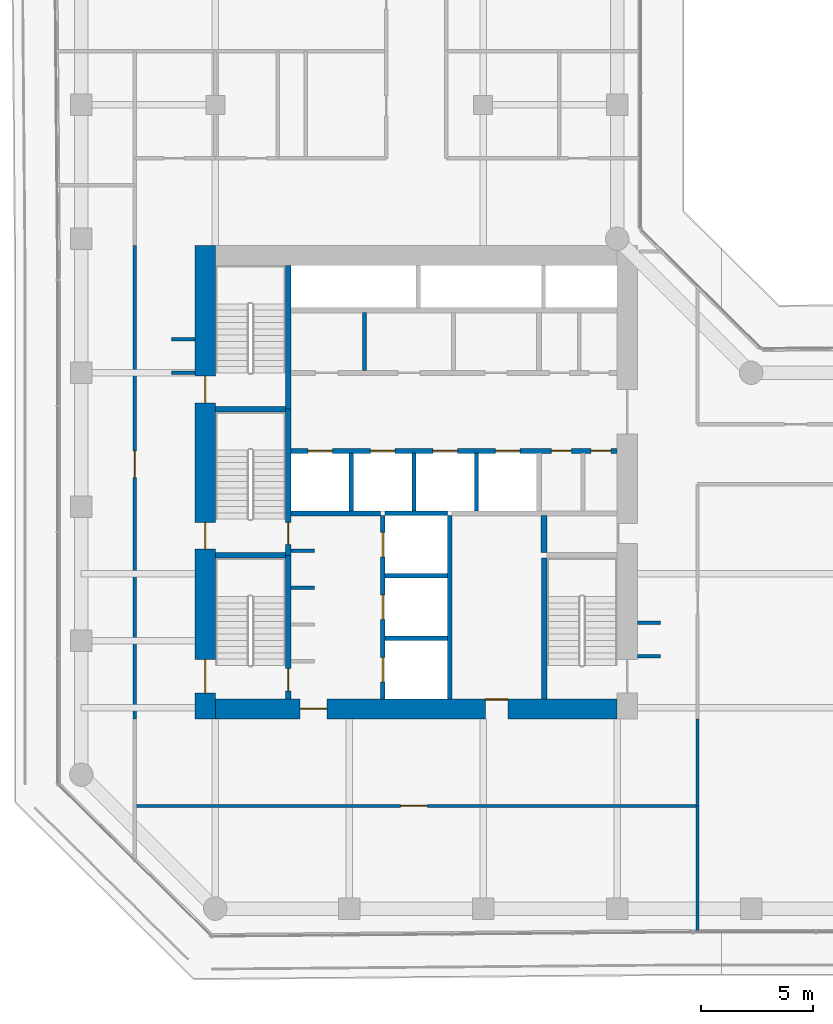
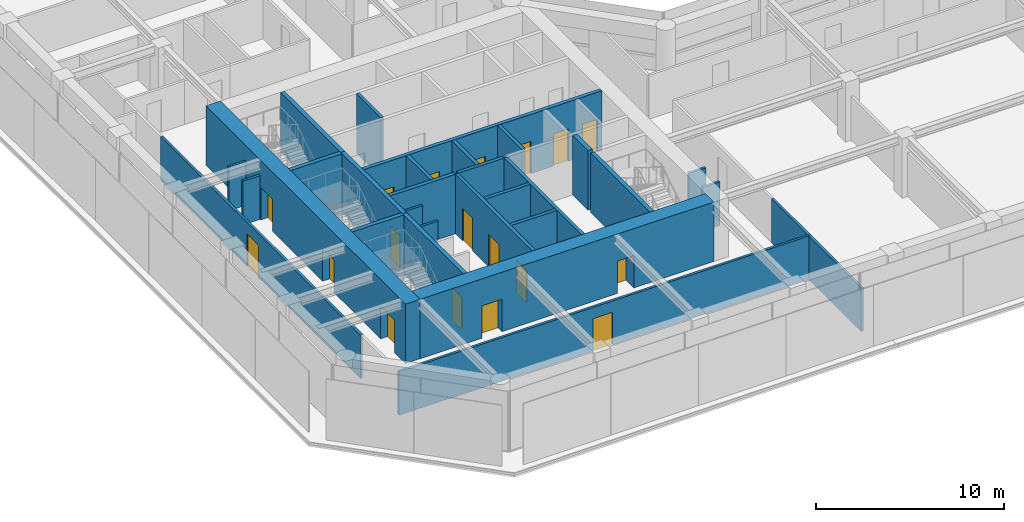
# One storey, part 22 of 28: 30 walls, 18 doors, 18 openings.
"""IFC4 building model written with IfcOpenShell, lengths in metres."""

from ifc_helpers import new_model, si_unit, direction, frame, frame_2d, origin, place, context, subcontext, project, spatial, rectangle, extrude, material, layer, layer_set, type_object, element, fill, save


model = new_model("IFC4")

# Units and contexts
model_context = context("Model", 3, precision=1e-05, world=origin(), true_north=direction((0.0, 1.0)))
body_context = subcontext(model_context, "Body", "Model", "MODEL_VIEW")
ifc_project = project(units=[si_unit("LENGTHUNIT", "METRE"), si_unit("AREAUNIT", "SQUARE_METRE"), si_unit("VOLUMEUNIT", "CUBIC_METRE"), si_unit("PLANEANGLEUNIT", "RADIAN"), si_unit("MASSUNIT", "GRAM", prefix="KILO")], contexts=[model_context])

# Site, building, storey
site_placement = place(None, origin())
site = spatial("IfcSite", under=ifc_project, at=site_placement, CompositionType="ELEMENT")
building_placement = place(site_placement, origin())
building = spatial("IfcBuilding", under=site, at=building_placement, Name="Welwitschia Terrace Campus", CompositionType="ELEMENT")
storey_placement = place(building_placement, frame((0.0, 0.0, 54.199951171875)))
storey = spatial("IfcBuildingStorey", under=building, at=storey_placement, Name="L12", CompositionType="ELEMENT", Elevation=54.199951171875)

# Walls
ifc_material_1 = material(Name="Concrete C32/40", Category="concrete")
ifc_layer_1 = layer(ifc_material_1, 0.175048828125)
ifc_layer_set_1 = layer_set([ifc_layer_1], Name="Concrete C32/40")
wall_type_1 = type_object("IfcWallType", Name="Core partition 175 Concrete C32/40", PredefinedType="PARTITIONING", material=ifc_layer_set_1)
wall_1_placement = place(storey_placement, frame((12.675048828125, 20.10009765625, 0.0), z_axis=(0.0, 0.0, 1.0), x_axis=(0.0, 1.0, 0.0)))
element("IfcWall", 1, at=wall_1_placement, inside=storey, type_object=wall_type_1, Name="Core partition", PredefinedType="PARTITIONING", context=body_context, shape_type="SweptSolid", body=[
    extrude(rectangle(XDim=2.599853515625, YDim=0.175048828125, at=frame_2d((1.2998046875, 0.0))), origin(), (0.0, 0.0, 1.0), 3.85009765625),
])
ifc_material_2 = material(Name="Concrete C32/40", Category="concrete")
ifc_layer_2 = layer(ifc_material_2, 0.22509765625)
ifc_layer_set_2 = layer_set([ifc_layer_2], Name="Concrete C32/40")
wall_type_2 = type_object("IfcWallType", Name="Core partition 225 Concrete C32/40", PredefinedType="PARTITIONING", material=ifc_layer_set_2)
wall_2_placement = place(storey_placement, frame((9.39990234375, 13.699951171875, 0.0), z_axis=(0.0, 0.0, 1.0), x_axis=(1.0, 0.0, 0.0)))
element("IfcWall", 2, at=wall_2_placement, inside=storey, type_object=wall_type_2, Name="Shaft wall", PredefinedType="PARTITIONING", context=body_context, shape_type="SweptSolid", body=[
    extrude(rectangle(XDim=4.0, YDim=0.22509765625, at=frame_2d((2.0, 0.0))), origin(), (0.0, 0.0, 1.0), 3.85009765625),
])

# Wall, openings, doors
wall_3_placement = place(storey_placement, frame((9.39990234375, 16.5, 0.0), z_axis=(0.0, 0.0, 1.0), x_axis=(1.0, 0.0, 0.0)))
wall_3 = element("IfcWall", 3, at=wall_3_placement, inside=storey, type_object=wall_type_2, Name="Shaft wall", PredefinedType="PARTITIONING", context=body_context, shape_type="SweptSolid", body=[
    extrude(rectangle(XDim=14.60009765625, YDim=0.22509765625, at=frame_2d((7.300048828125, 0.0))), origin(), (0.0, 0.0, 1.0), 3.85009765625),
])
opening_1_placement = place(wall_3_placement, frame((0.75, 0.0, 0.0)))
opening_1 = element("IfcOpeningElement", 4, at=opening_1_placement, cuts=wall_3, Name="Opening LD", PredefinedType="OPENING", context=body_context, shape_type="SweptSolid", body=[
    extrude(rectangle(XDim=1.10009765625, YDim=2.10009765625, at=frame_2d((0.550048828125, 1.050048828125))), frame((0.0, 0.12255859375, 0.0), z_axis=(0.0, -1.0, 0.0), x_axis=(1.0, 0.0, 0.0)), (0.0, 0.0, 1.0), 0.2451171875),
])
opening_2_placement = place(wall_3_placement, frame((3.550048828125, 0.0, 0.0)))
opening_2 = element("IfcOpeningElement", 5, at=opening_2_placement, cuts=wall_3, Name="Opening LD", PredefinedType="OPENING", context=body_context, shape_type="SweptSolid", body=[
    extrude(rectangle(XDim=1.10009765625, YDim=2.10009765625, at=frame_2d((0.550048828125, 1.050048828125))), frame((0.0, 0.12255859375, 0.0), z_axis=(0.0, -1.0, 0.0), x_axis=(1.0, 0.0, 0.0)), (0.0, 0.0, 1.0), 0.2451171875),
])
opening_3_placement = place(wall_3_placement, frame((6.35009765625, 0.0, 0.0)))
opening_3 = element("IfcOpeningElement", 6, at=opening_3_placement, cuts=wall_3, Name="Opening LD", PredefinedType="OPENING", context=body_context, shape_type="SweptSolid", body=[
    extrude(rectangle(XDim=1.10009765625, YDim=2.10009765625, at=frame_2d((0.550048828125, 1.050048828125))), frame((0.0, 0.12255859375, 0.0), z_axis=(0.0, -1.0, 0.0), x_axis=(1.0, 0.0, 0.0)), (0.0, 0.0, 1.0), 0.2451171875),
])
opening_4_placement = place(wall_3_placement, frame((9.14990234375, 0.0, 0.0)))
opening_4 = element("IfcOpeningElement", 7, at=opening_4_placement, cuts=wall_3, Name="Opening LD", PredefinedType="OPENING", context=body_context, shape_type="SweptSolid", body=[
    extrude(rectangle(XDim=1.10009765625, YDim=2.10009765625, at=frame_2d((0.550048828125, 1.050048828125))), frame((0.0, 0.12255859375, 0.0), z_axis=(0.0, -1.0, 0.0), x_axis=(1.0, 0.0, 0.0)), (0.0, 0.0, 1.0), 0.2451171875),
])
opening_5_placement = place(wall_3_placement, frame((11.6474609375, 0.0, 0.0)))
opening_5 = element("IfcOpeningElement", 8, at=opening_5_placement, cuts=wall_3, Name="Opening DR09", PredefinedType="OPENING", context=body_context, shape_type="SweptSolid", body=[
    extrude(rectangle(XDim=0.89990234375, YDim=2.10009765625, at=frame_2d((0.449951171875, 1.050048828125))), frame((0.0, 0.12255859375, 0.0), z_axis=(0.0, -1.0, 0.0), x_axis=(1.0, 0.0, 0.0)), (0.0, 0.0, 1.0), 0.2451171875),
])
opening_6_placement = place(wall_3_placement, frame((13.422607421875, 0.0, 0.0)))
opening_6 = element("IfcOpeningElement", 9, at=opening_6_placement, cuts=wall_3, Name="Opening DR09", PredefinedType="OPENING", context=body_context, shape_type="SweptSolid", body=[
    extrude(rectangle(XDim=0.89990234375, YDim=2.10009765625, at=frame_2d((0.449951171875, 1.050048828125))), frame((0.0, 0.12255859375, 0.0), z_axis=(0.0, -1.0, 0.0), x_axis=(1.0, 0.0, 0.0)), (0.0, 0.0, 1.0), 0.2451171875),
])
ifc_material_3 = material(Name="Steel S275", Category="steel")
door_type_1 = type_object("IfcDoorType", Name="Core door DR09", OperationType="SINGLE_SWING_LEFT", PredefinedType="DOOR", material=ifc_material_3)
door_1_placement = place(opening_5_placement, origin())
door_1 = element("IfcDoor", 10, at=door_1_placement, inside=storey, type_object=door_type_1, Name="Door EL1-D", OperationType="SINGLE_SWING_RIGHT", OverallHeight=2.10009765625, OverallWidth=0.89990234375, PredefinedType="DOOR", context=body_context, shape_type="SweptSolid", body=[
    extrude(rectangle(XDim=0.89990234375, YDim=2.10009765625, at=frame_2d((0.449951171875, 1.050048828125))), frame((0.0, 0.02490234375, 0.0), z_axis=(0.0, -1.0, 0.0), x_axis=(1.0, 0.0, 0.0)), (0.0, 0.0, 1.0), 0.050048828125),
])
fill(opening_5, door_1)
door_2_placement = place(opening_6_placement, origin())
door_2 = element("IfcDoor", 11, at=door_2_placement, inside=storey, type_object=door_type_1, Name="Door EL2-D", OperationType="SINGLE_SWING_RIGHT", OverallHeight=2.10009765625, OverallWidth=0.89990234375, PredefinedType="DOOR", context=body_context, shape_type="SweptSolid", body=[
    extrude(rectangle(XDim=0.89990234375, YDim=2.10009765625, at=frame_2d((0.449951171875, 1.050048828125))), frame((0.0, 0.02490234375, 0.0), z_axis=(0.0, -1.0, 0.0), x_axis=(1.0, 0.0, 0.0)), (0.0, 0.0, 1.0), 0.050048828125),
])
fill(opening_6, door_2)
ifc_material_4 = material(Name="Stainless steel 304", Category="steel")
door_type_2 = type_object("IfcDoorType", Name="Lift landing door", OperationType="DOUBLE_DOOR_SLIDING", PredefinedType="DOOR", material=ifc_material_4)
door_3_placement = place(opening_1_placement, origin())
door_3 = element("IfcDoor", 12, at=door_3_placement, inside=storey, type_object=door_type_2, Name="Landing door LR1", OperationType="DOUBLE_DOOR_SLIDING", OverallHeight=2.10009765625, OverallWidth=1.10009765625, PredefinedType="DOOR", context=body_context, shape_type="SweptSolid", body=[
    extrude(rectangle(XDim=1.10009765625, YDim=2.10009765625, at=frame_2d((0.550048828125, 1.050048828125))), frame((0.0, 0.02490234375, 0.0), z_axis=(0.0, -1.0, 0.0), x_axis=(1.0, 0.0, 0.0)), (0.0, 0.0, 1.0), 0.050048828125),
])
fill(opening_1, door_3)
door_4_placement = place(opening_2_placement, origin())
door_4 = element("IfcDoor", 13, at=door_4_placement, inside=storey, type_object=door_type_2, Name="Landing door LR2", OperationType="DOUBLE_DOOR_SLIDING", OverallHeight=2.10009765625, OverallWidth=1.10009765625, PredefinedType="DOOR", context=body_context, shape_type="SweptSolid", body=[
    extrude(rectangle(XDim=1.10009765625, YDim=2.10009765625, at=frame_2d((0.550048828125, 1.050048828125))), frame((0.0, 0.02490234375, 0.0), z_axis=(0.0, -1.0, 0.0), x_axis=(1.0, 0.0, 0.0)), (0.0, 0.0, 1.0), 0.050048828125),
])
fill(opening_2, door_4)
door_5_placement = place(opening_3_placement, origin())
door_5 = element("IfcDoor", 14, at=door_5_placement, inside=storey, type_object=door_type_2, Name="Landing door LR3", OperationType="DOUBLE_DOOR_SLIDING", OverallHeight=2.10009765625, OverallWidth=1.10009765625, PredefinedType="DOOR", context=body_context, shape_type="SweptSolid", body=[
    extrude(rectangle(XDim=1.10009765625, YDim=2.10009765625, at=frame_2d((0.550048828125, 1.050048828125))), frame((0.0, 0.02490234375, 0.0), z_axis=(0.0, -1.0, 0.0), x_axis=(1.0, 0.0, 0.0)), (0.0, 0.0, 1.0), 0.050048828125),
])
fill(opening_3, door_5)
door_6_placement = place(opening_4_placement, origin())
door_6 = element("IfcDoor", 15, at=door_6_placement, inside=storey, type_object=door_type_2, Name="Landing door LR4", OperationType="DOUBLE_DOOR_SLIDING", OverallHeight=2.10009765625, OverallWidth=1.10009765625, PredefinedType="DOOR", context=body_context, shape_type="SweptSolid", body=[
    extrude(rectangle(XDim=1.10009765625, YDim=2.10009765625, at=frame_2d((0.550048828125, 1.050048828125))), frame((0.0, 0.02490234375, 0.0), z_axis=(0.0, -1.0, 0.0), x_axis=(1.0, 0.0, 0.0)), (0.0, 0.0, 1.0), 0.050048828125),
])
fill(opening_4, door_6)

# Walls
ifc_material_5 = material(Name="Concrete C32/40", Category="concrete")
ifc_layer_3 = layer(ifc_material_5, 0.27490234375)
ifc_layer_set_3 = layer_set([ifc_layer_3], Name="Concrete C32/40")
wall_type_3 = type_object("IfcWallType", Name="Core partition 275 Concrete C32/40", PredefinedType="PARTITIONING", material=ifc_layer_set_3)
wall_4_placement = place(storey_placement, frame((20.72509765625, 11.949951171875, 0.0), z_axis=(0.0, 0.0, 1.0), x_axis=(0.0, 1.0, 0.0)))
element("IfcWall", 16, at=wall_4_placement, inside=storey, type_object=wall_type_3, Name="Core partition", PredefinedType="PARTITIONING", context=body_context, shape_type="SweptSolid", body=[
    extrude(rectangle(XDim=1.650146484375, YDim=0.27490234375, at=frame_2d((0.8251953125, 0.0))), origin(), (0.0, 0.0, 1.0), 3.85009765625),
])
ifc_material_6 = material(Name="Concrete C50/60", Category="concrete")
ifc_layer_4 = layer(ifc_material_6, 0.14990234375)
ifc_layer_set_4 = layer_set([ifc_layer_4], Name="Concrete C50/60")
wall_type_4 = type_object("IfcWallType", Name="Core wall 150 Concrete C50/60", PredefinedType="SHEAR", material=ifc_layer_set_4)
for number, where, z_axis, x_axis, name in (
    (17, (9.39990234375, 10.375, 0.0), (0.0, 0.0, 1.0), (1.0, 0.0, 0.0), "Core wall"),
    (18, (9.39990234375, 12.02490234375, 0.0), (0.0, 0.0, 1.0), (1.0, 0.0, 0.0), "Core wall"),
):
    element("IfcWall", number, at=place(storey_placement, frame(where, z_axis=z_axis, x_axis=x_axis)), inside=storey, type_object=wall_type_4, Name=name, PredefinedType="SHEAR", context=body_context, shape_type="SweptSolid", body=[
        extrude(rectangle(XDim=1.050048828125, YDim=0.14990234375, at=frame_2d((0.52490234375, 0.0))), origin(), (0.0, 0.0, 1.0), 3.85009765625),
    ])
ifc_material_7 = material(Name="Concrete C50/60", Category="concrete")
ifc_layer_5 = layer(ifc_material_7, 0.199951171875)
ifc_layer_set_5 = layer_set([ifc_layer_5], Name="Concrete C50/60")
wall_type_5 = type_object("IfcWallType", Name="Core wall 200 Concrete C50/60", PredefinedType="SHEAR", material=ifc_layer_set_5)
for number, where, z_axis, x_axis, name in (
    (19, (13.60009765625, 8.10009765625, 0.0), (0.0, 0.0, 1.0), (1.0, 0.0, 0.0), "Core wall"),
    (20, (13.60009765625, 10.89990234375, 0.0), (0.0, 0.0, 1.0), (1.0, 0.0, 0.0), "Core wall"),
    (21, (13.60009765625, 13.699951171875, 0.0), (0.0, 0.0, 1.0), (1.0, 0.0, 0.0), "Core wall"),
):
    element("IfcWall", number, at=place(storey_placement, frame(where, z_axis=z_axis, x_axis=x_axis)), inside=storey, type_object=wall_type_5, Name=name, PredefinedType="SHEAR", context=body_context, shape_type="SweptSolid", body=[
        extrude(rectangle(XDim=2.7998046875, YDim=0.199951171875, at=frame_2d((1.39990234375, 0.0))), origin(), (0.0, 0.0, 1.0), 3.85009765625),
    ])

# Wall, openings, doors
wall_5_placement = place(storey_placement, frame((13.5, 5.39990234375, 0.0), z_axis=(0.0, 0.0, 1.0), x_axis=(0.0, 1.0, 0.0)))
wall_5 = element("IfcWall", 22, at=wall_5_placement, inside=storey, type_object=wall_type_5, Name="Core wall", PredefinedType="SHEAR", context=body_context, shape_type="SweptSolid", body=[
    extrude(rectangle(XDim=8.2001953125, YDim=0.199951171875, at=frame_2d((4.10009765625, 0.0))), origin(), (0.0, 0.0, 1.0), 3.85009765625),
])
opening_7_placement = place(wall_5_placement, frame((0.75, 0.0, 0.0)))
opening_7 = element("IfcOpeningElement", 23, at=opening_7_placement, cuts=wall_5, Name="Opening LD", PredefinedType="OPENING", context=body_context, shape_type="SweptSolid", body=[
    extrude(rectangle(XDim=1.10009765625, YDim=2.10009765625, at=frame_2d((0.550048828125, 1.050048828125))), frame((0.0, 0.10986328125, 0.0), z_axis=(0.0, -1.0, 0.0), x_axis=(1.0, 0.0, 0.0)), (0.0, 0.0, 1.0), 0.219970703125),
])
opening_8_placement = place(wall_5_placement, frame((3.550048828125, 0.0, 0.0)))
opening_8 = element("IfcOpeningElement", 24, at=opening_8_placement, cuts=wall_5, Name="Opening LD", PredefinedType="OPENING", context=body_context, shape_type="SweptSolid", body=[
    extrude(rectangle(XDim=1.10009765625, YDim=2.10009765625, at=frame_2d((0.550048828125, 1.050048828125))), frame((0.0, 0.10986328125, 0.0), z_axis=(0.0, -1.0, 0.0), x_axis=(1.0, 0.0, 0.0)), (0.0, 0.0, 1.0), 0.219970703125),
])
opening_9_placement = place(wall_5_placement, frame((6.35009765625, 0.0, 0.0)))
opening_9 = element("IfcOpeningElement", 25, at=opening_9_placement, cuts=wall_5, Name="Opening LD", PredefinedType="OPENING", context=body_context, shape_type="SweptSolid", body=[
    extrude(rectangle(XDim=1.10009765625, YDim=2.10009765625, at=frame_2d((0.550048828125, 1.050048828125))), frame((0.0, 0.10986328125, 0.0), z_axis=(0.0, -1.0, 0.0), x_axis=(1.0, 0.0, 0.0)), (0.0, 0.0, 1.0), 0.219970703125),
])
door_7_placement = place(opening_7_placement, origin())
door_7 = element("IfcDoor", 26, at=door_7_placement, inside=storey, type_object=door_type_2, Name="Landing door FF1", OperationType="DOUBLE_DOOR_SLIDING", OverallHeight=2.10009765625, OverallWidth=1.10009765625, PredefinedType="DOOR", context=body_context, shape_type="SweptSolid", body=[
    extrude(rectangle(XDim=1.10009765625, YDim=2.10009765625, at=frame_2d((0.550048828125, 1.050048828125))), frame((0.0, 0.02490234375, 0.0), z_axis=(0.0, -1.0, 0.0), x_axis=(1.0, 0.0, 0.0)), (0.0, 0.0, 1.0), 0.050048828125),
])
fill(opening_7, door_7)
door_8_placement = place(opening_8_placement, origin())
door_8 = element("IfcDoor", 27, at=door_8_placement, inside=storey, type_object=door_type_2, Name="Landing door FF2", OperationType="DOUBLE_DOOR_SLIDING", OverallHeight=2.10009765625, OverallWidth=1.10009765625, PredefinedType="DOOR", context=body_context, shape_type="SweptSolid", body=[
    extrude(rectangle(XDim=1.10009765625, YDim=2.10009765625, at=frame_2d((0.550048828125, 1.050048828125))), frame((0.0, 0.02490234375, 0.0), z_axis=(0.0, -1.0, 0.0), x_axis=(1.0, 0.0, 0.0)), (0.0, 0.0, 1.0), 0.050048828125),
])
fill(opening_8, door_8)
door_9_placement = place(opening_9_placement, origin())
door_9 = element("IfcDoor", 28, at=door_9_placement, inside=storey, type_object=door_type_2, Name="Landing door SV1", OperationType="DOUBLE_DOOR_SLIDING", OverallHeight=2.10009765625, OverallWidth=1.10009765625, PredefinedType="DOOR", context=body_context, shape_type="SweptSolid", body=[
    extrude(rectangle(XDim=1.10009765625, YDim=2.10009765625, at=frame_2d((0.550048828125, 1.050048828125))), frame((0.0, 0.02490234375, 0.0), z_axis=(0.0, -1.0, 0.0), x_axis=(1.0, 0.0, 0.0)), (0.0, 0.0, 1.0), 0.050048828125),
])
fill(opening_9, door_9)

# Walls
wall_6_placement = place(storey_placement, frame((16.5, 5.39990234375, 0.0), z_axis=(0.0, 0.0, 1.0), x_axis=(0.0, 1.0, 0.0)))
element("IfcWall", 29, at=wall_6_placement, inside=storey, type_object=wall_type_5, Name="Core wall", PredefinedType="SHEAR", context=body_context, shape_type="SweptSolid", body=[
    extrude(rectangle(XDim=8.2001953125, YDim=0.199951171875, at=frame_2d((4.10009765625, 0.0))), origin(), (0.0, 0.0, 1.0), 3.85009765625),
])
ifc_material_8 = material(Name="Concrete C50/60", Category="concrete")
ifc_layer_6 = layer(ifc_material_8, 0.25)
ifc_layer_set_6 = layer_set([ifc_layer_6], Name="Concrete C50/60")
wall_type_6 = type_object("IfcWallType", Name="Core wall 250 Concrete C50/60", PredefinedType="SHEAR", material=ifc_layer_set_6)
for number, where, z_axis, x_axis, name in (
    (30, (6.0, 11.824951171875, 0.0), (0.0, 0.0, 1.0), (1.0, 0.0, 0.0), "Core wall"),
    (31, (6.0, 18.375, 0.0), (0.0, 0.0, 1.0), (1.0, 0.0, 0.0), "Core wall"),
):
    element("IfcWall", number, at=place(storey_placement, frame(where, z_axis=z_axis, x_axis=x_axis)), inside=storey, type_object=wall_type_6, Name=name, PredefinedType="SHEAR", context=body_context, shape_type="SweptSolid", body=[
        extrude(rectangle(XDim=3.14990234375, YDim=0.25, at=frame_2d((1.574951171875, 0.0))), origin(), (0.0, 0.0, 1.0), 3.85009765625),
    ])

# Wall, opening, door
wall_7_placement = place(storey_placement, frame((9.27490234375, 11.824951171875, 0.0), z_axis=(0.0, 0.0, 1.0), x_axis=(0.0, -1.0, 0.0)))
wall_7 = element("IfcWall", 32, at=wall_7_placement, inside=storey, type_object=wall_type_6, Name="Core wall", PredefinedType="SHEAR", context=body_context, shape_type="SweptSolid", body=[
    extrude(rectangle(XDim=6.425048828125, YDim=0.25, at=frame_2d((3.21240234375, 0.0))), origin(), (0.0, 0.0, 1.0), 3.85009765625),
])
opening_10_placement = place(wall_7_placement, frame((5.074951171875, 0.0, 0.0)))
opening_10 = element("IfcOpeningElement", 33, at=opening_10_placement, cuts=wall_7, Name="Opening DS10", PredefinedType="OPENING", context=body_context, shape_type="SweptSolid", body=[
    extrude(rectangle(XDim=1.0, YDim=2.10009765625, at=frame_2d((0.5, 1.050048828125))), frame((0.0, 0.135009765625, 0.0), z_axis=(0.0, -1.0, 0.0), x_axis=(1.0, 0.0, 0.0)), (0.0, 0.0, 1.0), 0.27001953125),
])
ifc_material_9 = material(Name="Steel S275", Category="steel")
door_type_3 = type_object("IfcDoorType", Name="Core door DS10", OperationType="SINGLE_SWING_LEFT", PredefinedType="DOOR", material=ifc_material_9)
door_10_placement = place(opening_10_placement, origin())
door_10 = element("IfcDoor", 34, at=door_10_placement, inside=storey, type_object=door_type_3, Name="Door S1-FL", OperationType="SINGLE_SWING_RIGHT", OverallHeight=2.10009765625, OverallWidth=1.0, PredefinedType="DOOR", context=body_context, shape_type="SweptSolid", body=[
    extrude(rectangle(XDim=1.0, YDim=2.10009765625, at=frame_2d((0.5, 1.050048828125))), frame((0.0, 0.02490234375, 0.0), z_axis=(0.0, -1.0, 0.0), x_axis=(1.0, 0.0, 0.0)), (0.0, 0.0, 1.0), 0.050048828125),
])
fill(opening_10, door_10)

wall_8_placement = place(storey_placement, frame((9.27490234375, 18.375, 0.0), z_axis=(0.0, 0.0, 1.0), x_axis=(0.0, -1.0, 0.0)))
wall_8 = element("IfcWall", 35, at=wall_8_placement, inside=storey, type_object=wall_type_6, Name="Core wall", PredefinedType="SHEAR", context=body_context, shape_type="SweptSolid", body=[
    extrude(rectangle(XDim=6.550048828125, YDim=0.25, at=frame_2d((3.27490234375, 0.0))), origin(), (0.0, 0.0, 1.0), 3.85009765625),
])
opening_11_placement = place(wall_8_placement, frame((5.074951171875, 0.0, 0.0)))
opening_11 = element("IfcOpeningElement", 36, at=opening_11_placement, cuts=wall_8, Name="Opening DS10", PredefinedType="OPENING", context=body_context, shape_type="SweptSolid", body=[
    extrude(rectangle(XDim=1.0, YDim=2.10009765625, at=frame_2d((0.5, 1.050048828125))), frame((0.0, 0.135009765625, 0.0), z_axis=(0.0, -1.0, 0.0), x_axis=(1.0, 0.0, 0.0)), (0.0, 0.0, 1.0), 0.27001953125),
])
door_11_placement = place(opening_11_placement, origin())
door_11 = element("IfcDoor", 37, at=door_11_placement, inside=storey, type_object=door_type_3, Name="Door S3-FL", OperationType="SINGLE_SWING_RIGHT", OverallHeight=2.10009765625, OverallWidth=1.0, PredefinedType="DOOR", context=body_context, shape_type="SweptSolid", body=[
    extrude(rectangle(XDim=1.0, YDim=2.10009765625, at=frame_2d((0.5, 1.050048828125))), frame((0.0, 0.02490234375, 0.0), z_axis=(0.0, -1.0, 0.0), x_axis=(1.0, 0.0, 0.0)), (0.0, 0.0, 1.0), 0.050048828125),
])
fill(opening_11, door_11)

# Walls
wall_9_placement = place(storey_placement, frame((9.27490234375, 18.375, 0.0), z_axis=(0.0, 0.0, 1.0), x_axis=(0.0, 1.0, 0.0)))
element("IfcWall", 38, at=wall_9_placement, inside=storey, type_object=wall_type_6, Name="Core wall", PredefinedType="SHEAR", context=body_context, shape_type="SweptSolid", body=[
    extrude(rectangle(XDim=6.425048828125, YDim=0.25, at=frame_2d((3.21240234375, 0.0))), origin(), (0.0, 0.0, 1.0), 3.85009765625),
])
wall_10_placement = place(storey_placement, frame((20.72509765625, 5.39990234375, 0.0), z_axis=(0.0, 0.0, 1.0), x_axis=(0.0, 1.0, 0.0)))
element("IfcWall", 39, at=wall_10_placement, inside=storey, type_object=wall_type_6, Name="Core wall", PredefinedType="SHEAR", context=body_context, shape_type="SweptSolid", body=[
    extrude(rectangle(XDim=6.300048828125, YDim=0.25, at=frame_2d((3.14990234375, 0.0))), origin(), (0.0, 0.0, 1.0), 3.85009765625),
])

# Wall, openings, doors
ifc_material_10 = material(Name="Concrete C70/85", Category="concrete")
ifc_layer_7 = layer(ifc_material_10, 0.89990234375)
ifc_layer_set_7 = layer_set([ifc_layer_7], Name="Concrete C70/85")
wall_type_7 = type_object("IfcWallType", Name="Core wall 900 Concrete C70/85", PredefinedType="SHEAR", material=ifc_layer_set_7)
wall_11_placement = place(storey_placement, frame((5.550048828125, 4.5, 0.0), z_axis=(0.0, 0.0, 1.0), x_axis=(0.0, 1.0, 0.0)))
wall_11 = element("IfcWall", 40, at=wall_11_placement, inside=storey, type_object=wall_type_7, Name="Core outer wall", PredefinedType="SHEAR", context=body_context, shape_type="SweptSolid", body=[
    extrude(rectangle(XDim=21.199951171875, YDim=0.89990234375, at=frame_2d((10.60009765625, 0.0))), origin(), (0.0, 0.0, 1.0), 3.85009765625),
])
opening_12_placement = place(wall_11_placement, frame((1.14990234375, 0.0, 0.0)))
opening_12 = element("IfcOpeningElement", 41, at=opening_12_placement, cuts=wall_11, Name="Opening DS15", PredefinedType="OPENING", context=body_context, shape_type="SweptSolid", body=[
    extrude(rectangle(XDim=1.5, YDim=2.10009765625, at=frame_2d((0.75, 1.050048828125))), frame((0.0, 0.4599609375, 0.0), z_axis=(0.0, -1.0, 0.0), x_axis=(1.0, 0.0, 0.0)), (0.0, 0.0, 1.0), 0.919921875),
])
opening_13_placement = place(wall_11_placement, frame((7.60009765625, 0.0, 0.0)))
opening_13 = element("IfcOpeningElement", 42, at=opening_13_placement, cuts=wall_11, Name="Opening DS12", PredefinedType="OPENING", context=body_context, shape_type="SweptSolid", body=[
    extrude(rectangle(XDim=1.199951171875, YDim=2.10009765625, at=frame_2d((0.60009765625, 1.050048828125))), frame((0.0, 0.4599609375, 0.0), z_axis=(0.0, -1.0, 0.0), x_axis=(1.0, 0.0, 0.0)), (0.0, 0.0, 1.0), 0.919921875),
])
opening_14_placement = place(wall_11_placement, frame((14.14990234375, 0.0, 0.0)))
opening_14 = element("IfcOpeningElement", 43, at=opening_14_placement, cuts=wall_11, Name="Opening DS12", PredefinedType="OPENING", context=body_context, shape_type="SweptSolid", body=[
    extrude(rectangle(XDim=1.199951171875, YDim=2.10009765625, at=frame_2d((0.60009765625, 1.050048828125))), frame((0.0, 0.4599609375, 0.0), z_axis=(0.0, -1.0, 0.0), x_axis=(1.0, 0.0, 0.0)), (0.0, 0.0, 1.0), 0.919921875),
])
ifc_material_11 = material(Name="Steel S275", Category="steel")
door_type_4 = type_object("IfcDoorType", Name="Core door DS12", OperationType="SINGLE_SWING_LEFT", PredefinedType="DOOR", material=ifc_material_11)
door_12_placement = place(opening_13_placement, origin())
door_12 = element("IfcDoor", 44, at=door_12_placement, inside=storey, type_object=door_type_4, Name="Door S3-out", OperationType="SINGLE_SWING_LEFT", OverallHeight=2.10009765625, OverallWidth=1.199951171875, PredefinedType="DOOR", context=body_context, shape_type="SweptSolid", body=[
    extrude(rectangle(XDim=1.199951171875, YDim=2.10009765625, at=frame_2d((0.60009765625, 1.050048828125))), frame((0.0, 0.02490234375, 0.0), z_axis=(0.0, -1.0, 0.0), x_axis=(1.0, 0.0, 0.0)), (0.0, 0.0, 1.0), 0.050048828125),
])
fill(opening_13, door_12)
door_13_placement = place(opening_14_placement, origin())
door_13 = element("IfcDoor", 45, at=door_13_placement, inside=storey, type_object=door_type_4, Name="Door S4-out", OperationType="SINGLE_SWING_RIGHT", OverallHeight=2.10009765625, OverallWidth=1.199951171875, PredefinedType="DOOR", context=body_context, shape_type="SweptSolid", body=[
    extrude(rectangle(XDim=1.199951171875, YDim=2.10009765625, at=frame_2d((0.60009765625, 1.050048828125))), frame((0.0, 0.02490234375, 0.0), z_axis=(0.0, -1.0, 0.0), x_axis=(1.0, 0.0, 0.0)), (0.0, 0.0, 1.0), 0.050048828125),
])
fill(opening_14, door_13)
ifc_material_12 = material(Name="Steel S275", Category="steel")
door_type_5 = type_object("IfcDoorType", Name="Core door DS15", OperationType="DOUBLE_DOOR_SINGLE_SWING", PredefinedType="DOOR", material=ifc_material_12)
door_14_placement = place(opening_12_placement, origin())
door_14 = element("IfcDoor", 46, at=door_14_placement, inside=storey, type_object=door_type_5, Name="Door S1-out", OperationType="DOUBLE_DOOR_SINGLE_SWING", OverallHeight=2.10009765625, OverallWidth=1.5, PredefinedType="DOOR", context=body_context, shape_type="SweptSolid", body=[
    extrude(rectangle(XDim=1.5, YDim=2.10009765625, at=frame_2d((0.75, 1.050048828125))), frame((0.0, 0.02490234375, 0.0), z_axis=(0.0, -1.0, 0.0), x_axis=(1.0, 0.0, 0.0)), (0.0, 0.0, 1.0), 0.050048828125),
])
fill(opening_12, door_14)

wall_12_placement = place(storey_placement, frame((24.0, 4.949951171875, 0.0), z_axis=(0.0, 0.0, 1.0), x_axis=(-1.0, 0.0, 0.0)))
wall_12 = element("IfcWall", 47, at=wall_12_placement, inside=storey, type_object=wall_type_7, Name="Core outer wall", PredefinedType="SHEAR", context=body_context, shape_type="SweptSolid", body=[
    extrude(rectangle(XDim=18.0, YDim=0.89990234375, at=frame_2d((9.0, 0.0))), origin(), (0.0, 0.0, 1.0), 3.85009765625),
])
opening_15_placement = place(wall_12_placement, frame((13.0, 0.0, 0.0)))
opening_15 = element("IfcOpeningElement", 48, at=opening_15_placement, cuts=wall_12, Name="Opening DF12", PredefinedType="OPENING", context=body_context, shape_type="SweptSolid", body=[
    extrude(rectangle(XDim=1.199951171875, YDim=2.10009765625, at=frame_2d((0.60009765625, 1.050048828125))), frame((0.0, 0.4599609375, 0.0), z_axis=(0.0, -1.0, 0.0), x_axis=(1.0, 0.0, 0.0)), (0.0, 0.0, 1.0), 0.919921875),
])
opening_16_placement = place(wall_12_placement, frame((4.89990234375, 0.0, 0.0)))
opening_16 = element("IfcOpeningElement", 49, at=opening_16_placement, cuts=wall_12, Name="Opening DR10", PredefinedType="OPENING", context=body_context, shape_type="SweptSolid", body=[
    extrude(rectangle(XDim=1.0, YDim=2.10009765625, at=frame_2d((0.5, 1.050048828125))), frame((0.0, 0.4599609375, 0.0), z_axis=(0.0, -1.0, 0.0), x_axis=(1.0, 0.0, 0.0)), (0.0, 0.0, 1.0), 0.919921875),
])
ifc_material_13 = material(Name="Steel S275", Category="steel")
door_type_6 = type_object("IfcDoorType", Name="Core door DF12", OperationType="SINGLE_SWING_LEFT", PredefinedType="DOOR", material=ifc_material_13)
door_15_placement = place(opening_15_placement, origin())
door_15 = element("IfcDoor", 50, at=door_15_placement, inside=storey, type_object=door_type_6, Name="Door FL-out", OperationType="SINGLE_SWING_RIGHT", OverallHeight=2.10009765625, OverallWidth=1.199951171875, PredefinedType="DOOR", context=body_context, shape_type="SweptSolid", body=[
    extrude(rectangle(XDim=1.199951171875, YDim=2.10009765625, at=frame_2d((0.60009765625, 1.050048828125))), frame((0.0, 0.02490234375, 0.0), z_axis=(0.0, -1.0, 0.0), x_axis=(1.0, 0.0, 0.0)), (0.0, 0.0, 1.0), 0.050048828125),
])
fill(opening_15, door_15)
ifc_material_14 = material(Name="Steel S275", Category="steel")
door_type_7 = type_object("IfcDoorType", Name="Core door DR10", OperationType="SINGLE_SWING_LEFT", PredefinedType="DOOR", material=ifc_material_14)
door_16_placement = place(opening_16_placement, origin())
door_16 = element("IfcDoor", 51, at=door_16_placement, inside=storey, type_object=door_type_7, Name="Door F1-out", OperationType="SINGLE_SWING_LEFT", OverallHeight=2.10009765625, OverallWidth=1.0, PredefinedType="DOOR", context=body_context, shape_type="SweptSolid", body=[
    extrude(rectangle(XDim=1.0, YDim=2.10009765625, at=frame_2d((0.5, 1.050048828125))), frame((0.0, -0.39013671875, 0.0), z_axis=(0.0, -1.0, 0.0), x_axis=(1.0, 0.0, 0.0)), (0.0, 0.0, 1.0), 0.050048828125),
])
fill(opening_16, door_16)

# Wall, opening, door
ifc_material_15 = material(Name="Gypsum board on steel studs", Category="steel")
ifc_layer_8 = layer(ifc_material_15, 0.14990234375)
ifc_layer_set_8 = layer_set([ifc_layer_8], Name="Gypsum board on steel studs")
wall_type_8 = type_object("IfcWallType", Name="Corridor partition 150 EI 30", PredefinedType="PARTITIONING", material=ifc_layer_set_8)
wall_13_placement = place(storey_placement, frame((2.39990234375, 4.5, 0.0), z_axis=(0.0, 0.0, 1.0), x_axis=(0.0, 1.0, 0.0)))
wall_13 = element("IfcWall", 52, at=wall_13_placement, inside=storey, type_object=wall_type_8, Name="Partition", PredefinedType="PARTITIONING", context=body_context, shape_type="SweptSolid", body=[
    extrude(rectangle(XDim=21.199951171875, YDim=0.14990234375, at=frame_2d((10.60009765625, 0.0))), origin(), (0.0, 0.0, 1.0), 2.830078125),
])
opening_17_placement = place(wall_13_placement, frame((10.800048828125, 0.0, 0.0)))
opening_17 = element("IfcOpeningElement", 53, at=opening_17_placement, cuts=wall_13, Name="Opening DI12", PredefinedType="OPENING", context=body_context, shape_type="SweptSolid", body=[
    extrude(rectangle(XDim=1.199951171875, YDim=2.10009765625, at=frame_2d((0.60009765625, 1.050048828125))), frame((0.0, 0.0849609375, 0.0), z_axis=(0.0, -1.0, 0.0), x_axis=(1.0, 0.0, 0.0)), (0.0, 0.0, 1.0), 0.169921875),
])
ifc_material_16 = material(Name="Timber veneered door", Category="wood")
door_type_8 = type_object("IfcDoorType", Name="Interior door DI12", OperationType="NOTDEFINED", PredefinedType="DOOR", material=ifc_material_16)
door_17_placement = place(opening_17_placement, origin())
door_17 = element("IfcDoor", 54, at=door_17_placement, inside=storey, type_object=door_type_8, Name="Door L12 267", OperationType="SINGLE_SWING_RIGHT", OverallHeight=2.10009765625, OverallWidth=1.199951171875, PredefinedType="DOOR", context=body_context, shape_type="SweptSolid", body=[
    extrude(rectangle(XDim=1.199951171875, YDim=2.10009765625, at=frame_2d((0.60009765625, 1.050048828125))), frame((0.0, 0.02490234375, 0.0), z_axis=(0.0, -1.0, 0.0), x_axis=(1.0, 0.0, 0.0)), (0.0, 0.0, 1.0), 0.050048828125),
])
fill(opening_17, door_17)

# Walls
for number, where, z_axis, x_axis, name in (
    (55, (4.050048828125, 20.0, 0.0), (0.0, 0.0, 1.0), (1.0, 0.0, 0.0), "Partition"),
    (56, (4.050048828125, 21.5, 0.0), (0.0, 0.0, 1.0), (1.0, 0.0, 0.0), "Partition"),
    (57, (24.89990234375, 7.300048828125, 0.0), (0.0, 0.0, 1.0), (1.0, 0.0, 0.0), "Partition"),
    (58, (24.89990234375, 8.800048828125, 0.0), (0.0, 0.0, 1.0), (1.0, 0.0, 0.0), "Partition"),
):
    element("IfcWall", number, at=place(storey_placement, frame(where, z_axis=z_axis, x_axis=x_axis)), inside=storey, type_object=wall_type_8, Name=name, PredefinedType="PARTITIONING", context=body_context, shape_type="SweptSolid", body=[
        extrude(rectangle(XDim=1.050048828125, YDim=0.14990234375, at=frame_2d((0.52490234375, 0.0))), origin(), (0.0, 0.0, 1.0), 2.830078125),
    ])
wall_14_placement = place(storey_placement, frame((27.60009765625, -5.010009765625, 0.0), z_axis=(0.0, 0.0, 1.0), x_axis=(0.0, 1.0, 0.0)))
element("IfcWall", 59, at=wall_14_placement, inside=storey, type_object=wall_type_8, Name="Partition", PredefinedType="PARTITIONING", context=body_context, shape_type="SweptSolid", body=[
    extrude(rectangle(XDim=5.610107421875, YDim=0.14990234375, at=frame_2d((2.80517578125, 0.0))), origin(), (0.0, 0.0, 1.0), 2.830078125),
])

# Wall, opening, door
wall_15_placement = place(storey_placement, frame((27.60009765625, 0.60009765625, 0.0), z_axis=(0.0, 0.0, 1.0), x_axis=(-1.0, 0.0, 0.0)))
wall_15 = element("IfcWall", 60, at=wall_15_placement, inside=storey, type_object=wall_type_8, Name="Partition", PredefinedType="PARTITIONING", context=body_context, shape_type="SweptSolid", body=[
    extrude(rectangle(XDim=25.2001953125, YDim=0.14990234375, at=frame_2d((12.60009765625, 0.0))), origin(), (0.0, 0.0, 1.0), 2.830078125),
])
opening_18_placement = place(wall_15_placement, frame((12.10009765625, 0.0, 0.0)))
opening_18 = element("IfcOpeningElement", 61, at=opening_18_placement, cuts=wall_15, Name="Opening DI12", PredefinedType="OPENING", context=body_context, shape_type="SweptSolid", body=[
    extrude(rectangle(XDim=1.199951171875, YDim=2.10009765625, at=frame_2d((0.60009765625, 1.050048828125))), frame((0.0, 0.0849609375, 0.0), z_axis=(0.0, -1.0, 0.0), x_axis=(1.0, 0.0, 0.0)), (0.0, 0.0, 1.0), 0.169921875),
])
door_18_placement = place(opening_18_placement, origin())
door_18 = element("IfcDoor", 62, at=door_18_placement, inside=storey, type_object=door_type_8, Name="Door L12 279", OperationType="SINGLE_SWING_RIGHT", OverallHeight=2.10009765625, OverallWidth=1.199951171875, PredefinedType="DOOR", context=body_context, shape_type="SweptSolid", body=[
    extrude(rectangle(XDim=1.199951171875, YDim=2.10009765625, at=frame_2d((0.60009765625, 1.050048828125))), frame((0.0, 0.02490234375, 0.0), z_axis=(0.0, -1.0, 0.0), x_axis=(1.0, 0.0, 0.0)), (0.0, 0.0, 1.0), 0.050048828125),
])
fill(opening_18, door_18)

# Walls
wall_16_placement = place(storey_placement, frame((27.60009765625, 0.60009765625, 0.0), z_axis=(0.0, 0.0, 1.0), x_axis=(0.0, 1.0, 0.0)))
element("IfcWall", 63, at=wall_16_placement, inside=storey, type_object=wall_type_8, Name="Partition", PredefinedType="PARTITIONING", context=body_context, shape_type="SweptSolid", body=[
    extrude(rectangle(XDim=3.89990234375, YDim=0.14990234375, at=frame_2d((1.949951171875, 0.0))), origin(), (0.0, 0.0, 1.0), 2.830078125),
])
ifc_material_17 = material(Name="Concrete C32/40", Category="concrete")
ifc_layer_9 = layer(ifc_material_17, 0.199951171875)
ifc_layer_set_9 = layer_set([ifc_layer_9], Name="Concrete C32/40")
wall_type_9 = type_object("IfcWallType", Name="Shaft wall 200 Concrete C32/40", PredefinedType="SOLIDWALL", material=ifc_layer_set_9)
for number, where, z_axis, x_axis, name in (
    (64, (12.10009765625, 13.800048828125, 0.0), (0.0, 0.0, 1.0), (0.0, 1.0, 0.0), "Shaft wall"),
    (65, (14.89990234375, 13.800048828125, 0.0), (0.0, 0.0, 1.0), (0.0, 1.0, 0.0), "Shaft wall"),
    (66, (17.699951171875, 13.800048828125, 0.0), (0.0, 0.0, 1.0), (0.0, 1.0, 0.0), "Shaft wall"),
):
    element("IfcWall", number, at=place(storey_placement, frame(where, z_axis=z_axis, x_axis=x_axis)), inside=storey, type_object=wall_type_9, Name=name, PredefinedType="SOLIDWALL", context=body_context, shape_type="SweptSolid", body=[
        extrude(rectangle(XDim=2.599853515625, YDim=0.199951171875, at=frame_2d((1.2998046875, 0.0))), origin(), (0.0, 0.0, 1.0), 3.85009765625),
    ])

save(model, "model.ifc")
